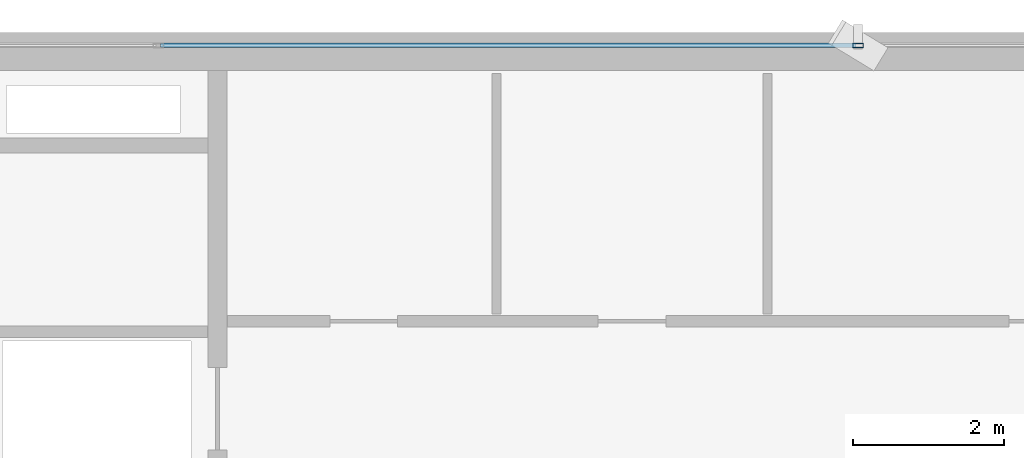
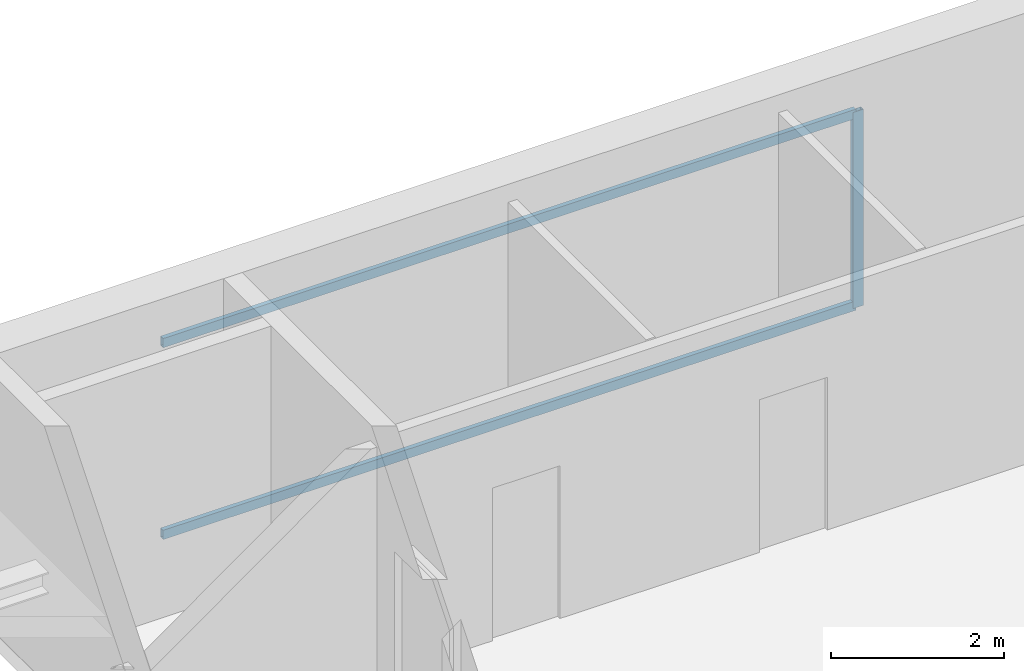
# One storey, part 20 of 29: 3 members, 1 element without a shape of its own.
"""IFC4 building model written with IfcOpenShell, lengths in metres."""

from ifc_helpers import new_model, si_unit, direction, frame, origin, origin_2d, place, context, subcontext, project, spatial, hollow_rectangle, extrude, source, transform, mapped, material, layer, layer_set, material_profile, profile_set, type_object, element, aggregate, save


model = new_model("IFC4")

# Units and contexts
model_context = context("Model", 3, precision=1e-05, world=origin(), true_north=direction((0.0, 1.0)))
body_context = subcontext(model_context, "Body", "Model", "MODEL_VIEW")
ifc_project = project(units=[si_unit("LENGTHUNIT", "METRE"), si_unit("AREAUNIT", "SQUARE_METRE"), si_unit("VOLUMEUNIT", "CUBIC_METRE"), si_unit("PLANEANGLEUNIT", "RADIAN"), si_unit("MASSUNIT", "GRAM", prefix="KILO")], contexts=[model_context])

# Site, building, storey
site_placement = place(None, origin())
site = spatial("IfcSite", under=ifc_project, at=site_placement, CompositionType="ELEMENT")
building_placement = place(site_placement, origin())
building = spatial("IfcBuilding", under=site, at=building_placement, Name="Sumidabori Civic Tower", CompositionType="ELEMENT")
storey_placement = place(building_placement, frame((0.0, 0.0, 203.60009765625)))
storey = spatial("IfcBuildingStorey", under=building, at=storey_placement, Name="L52", CompositionType="ELEMENT", Elevation=203.60009765625)

# Curtain wall, members
ifc_material = material(Name="Anodised Bronze Aluminium AW-6063-T6", Category="aluminium")
ifc_layer = layer(ifc_material, 0.179931640625, Name="Anodised Bronze Aluminium AW-6063-T6")
ifc_layer_set = layer_set([ifc_layer], Name="Anodised Bronze Aluminium AW-6063-T6")
curtain_wall_type = type_object("IfcCurtainWallType", Name="CW-SYS-5", PredefinedType="NOTDEFINED", material=ifc_layer_set)
curtain_wall_placement = place(storey_placement, origin())
curtain_wall = element("IfcCurtainWall", 1, at=curtain_wall_placement, inside=storey, type_object=curtain_wall_type, Name="Curtain Wall CW:L52:R13", PredefinedType="NOTDEFINED")
ifc_material_profile_1 = material_profile(ifc_material, hollow_rectangle(XDim=0.06005859375, YDim=0.139892578125, WallThickness=0.0048828125, at=origin_2d()), Name="ALU MULLION 140x60")
ifc_profile_set_1 = profile_set([ifc_material_profile_1], Name="Anodised Bronze Aluminium AW-6063-T6")
member_type_1 = type_object("IfcMemberType", Name="CW-MUL-140", PredefinedType="MULLION", material=ifc_profile_set_1)
shared_shape_1 = source(origin(), body_context, "Body", "SweptSolid", [
    extrude(hollow_rectangle(XDim=0.06005859375, YDim=0.139892578125, WallThickness=0.0048828125, at=origin_2d()), origin(), (0.0, 0.0, 1.0), 2.760009765625),
])
member_1_placement = place(storey_placement, frame((0.0, 23.8798828125, 0.0), z_axis=(0.0, 0.0, 1.0), x_axis=(0.0, -1.0, 0.0)))
member_1 = element("IfcMember", 2, at=member_1_placement, type_object=member_type_1, Name="CW-5 mullion 3", PredefinedType="MULLION", context=body_context, shape_type="MappedRepresentation", body=[
    mapped(shared_shape_1, transform((0.0, 0.0, 0.0), x_axis=(1.0, 0.0, 0.0), y_axis=(0.0, 1.0, 0.0), z_axis=(0.0, 0.0, 1.0), scale=1.0)),
])
ifc_material_profile_2 = material_profile(ifc_material, hollow_rectangle(XDim=0.06005859375, YDim=0.1298828125, WallThickness=0.0048828125, at=origin_2d()), Name="ALU TRANSOM 130x60")
ifc_profile_set_2 = profile_set([ifc_material_profile_2], Name="Anodised Bronze Aluminium AW-6063-T6")
member_type_2 = type_object("IfcMemberType", Name="CW-TRN-130", PredefinedType="USERDEFINED", material=ifc_profile_set_2)
shared_shape_2 = source(origin(), body_context, "Body", "SweptSolid", [
    extrude(hollow_rectangle(XDim=0.06005859375, YDim=0.1298828125, WallThickness=0.0048828125, at=origin_2d()), origin(), (0.0, 0.0, 1.0), 9.224853515625),
])
member_2_placement = place(storey_placement, frame((-0.030029296875, 23.8798828125, 0.02978515625), z_axis=(-1.0, 0.0, 0.0), x_axis=(0.0, -1.0, 0.0)))
member_2 = element("IfcMember", 3, at=member_2_placement, type_object=member_type_2, Name="CW-5 transom 3.1", ObjectType="TRANSOM", PredefinedType="USERDEFINED", context=body_context, shape_type="MappedRepresentation", body=[
    mapped(shared_shape_2, transform((0.0, 0.0, 0.0), x_axis=(1.0, 0.0, 0.0), y_axis=(0.0, 1.0, 0.0), z_axis=(0.0, 0.0, 1.0), scale=1.0)),
])
member_3_placement = place(storey_placement, frame((-0.030029296875, 23.8798828125, 2.72998046875), z_axis=(-1.0, 0.0, 0.0), x_axis=(0.0, -1.0, 0.0)))
member_3 = element("IfcMember", 4, at=member_3_placement, type_object=member_type_2, Name="CW-5 transom 3.2", ObjectType="TRANSOM", PredefinedType="USERDEFINED", context=body_context, shape_type="MappedRepresentation", body=[
    mapped(shared_shape_2, transform((0.0, 0.0, 0.0), x_axis=(1.0, 0.0, 0.0), y_axis=(0.0, 1.0, 0.0), z_axis=(0.0, 0.0, 1.0), scale=1.0)),
])
aggregate(curtain_wall, [member_1, member_2, member_3])

save(model, "model.ifc")
